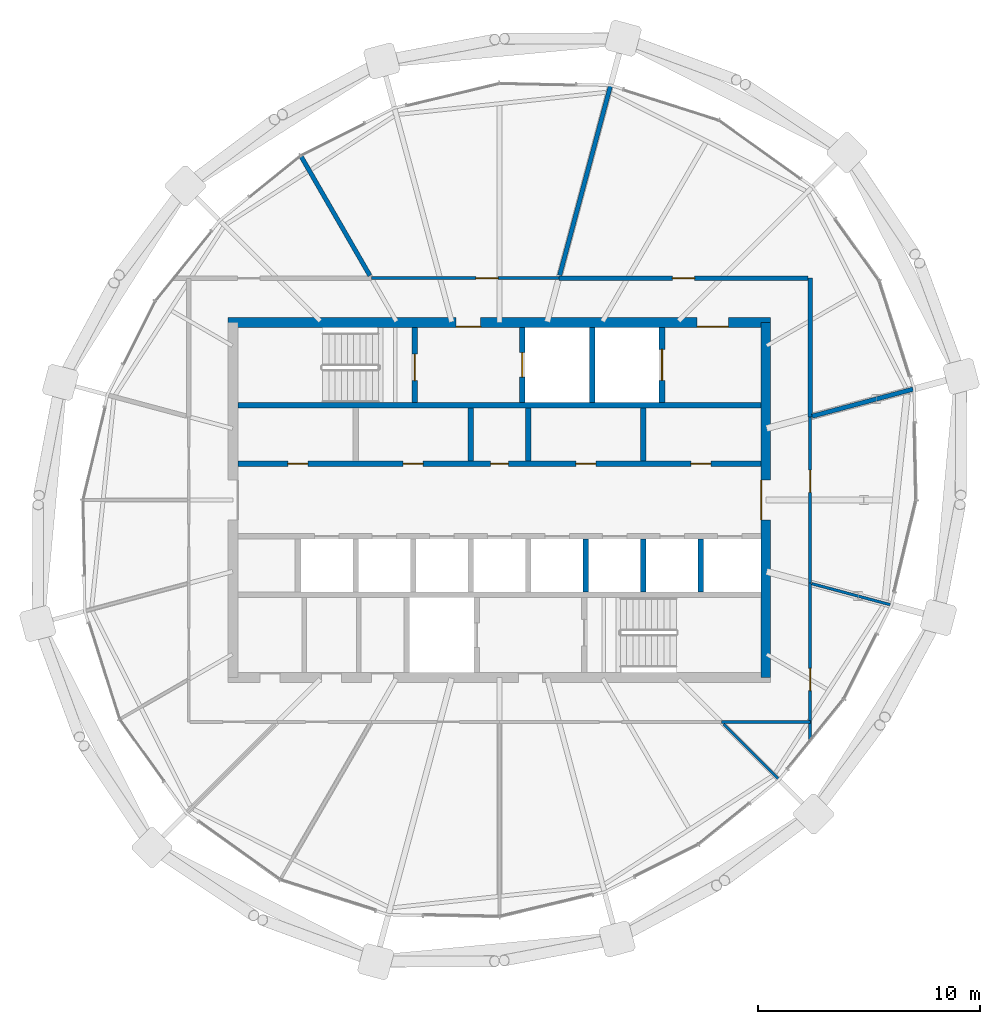
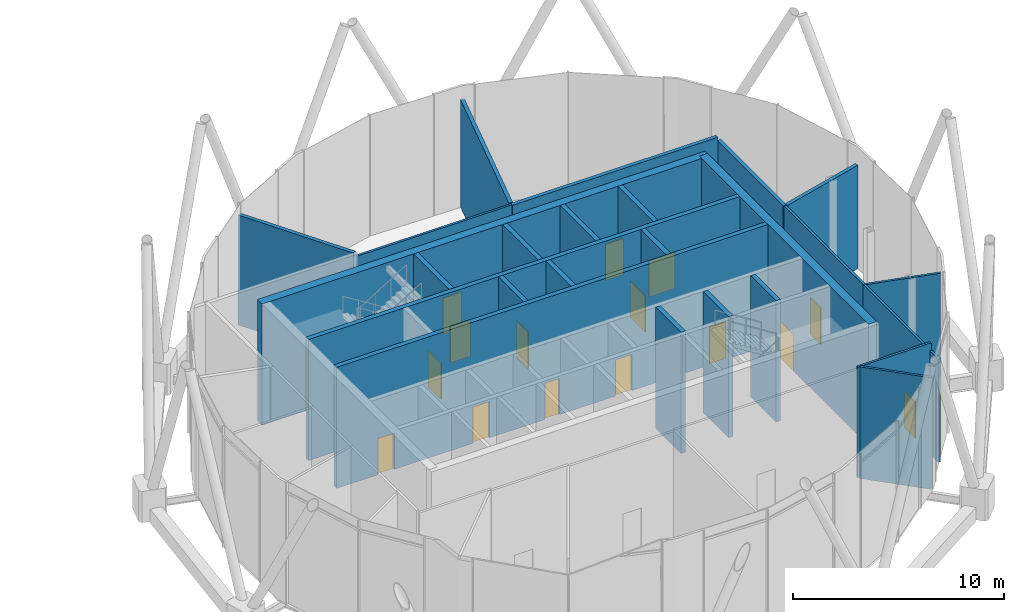
# One storey, part 22 of 28: 25 walls, 15 doors, 15 openings.
"""IFC4 building model written with IfcOpenShell, lengths in metres."""

from ifc_helpers import new_model, si_unit, direction, frame, frame_2d, origin, place, context, subcontext, project, spatial, rectangle, extrude, material, layer, layer_set, type_object, element, fill, save


model = new_model("IFC4")

# Units and contexts
model_context = context("Model", 3, precision=1e-05, world=origin(), true_north=direction((0.0, 1.0)))
body_context = subcontext(model_context, "Body", "Model", "MODEL_VIEW")
ifc_project = project(units=[si_unit("LENGTHUNIT", "METRE"), si_unit("AREAUNIT", "SQUARE_METRE"), si_unit("VOLUMEUNIT", "CUBIC_METRE"), si_unit("PLANEANGLEUNIT", "RADIAN"), si_unit("MASSUNIT", "GRAM", prefix="KILO")], contexts=[model_context])

# Site, building, storey
site_placement = place(None, origin())
site = spatial("IfcSite", under=ifc_project, at=site_placement, CompositionType="ELEMENT")
building_placement = place(site_placement, origin())
building = spatial("IfcBuilding", under=site, at=building_placement, Name="Rimbun Link Towers", CompositionType="ELEMENT")
storey_placement = place(building_placement, frame((0.0, 0.0, 256.10009765625)))
storey = spatial("IfcBuildingStorey", under=building, at=storey_placement, Name="L63", CompositionType="ELEMENT", Elevation=256.10009765625)

# Wall, openings, doors
ifc_material_1 = material(Name="Concrete C60/75", Category="concrete")
ifc_layer_1 = layer(ifc_material_1, 0.449951171875)
ifc_layer_set_1 = layer_set([ifc_layer_1], Name="Core shear wall 450")
wall_type_1 = type_object("IfcWallType", Name="Core shear wall 450", PredefinedType="SHEAR", material=ifc_layer_set_1)
wall_1_placement = place(storey_placement, frame((19.52490234375, 8.0, 0.0), z_axis=(0.0, 0.0, 1.0), x_axis=(1.0, 0.0, 0.0)))
wall_1 = element("IfcWall", 1, at=wall_1_placement, inside=storey, type_object=wall_type_1, Name="L63 T2 core wall N", PredefinedType="SHEAR", context=body_context, shape_type="SweptSolid", body=[
    extrude(rectangle(XDim=24.4501953125, YDim=0.449951171875, at=frame_2d((12.22509765625, 0.0))), origin(), (0.0, 0.0, 1.0), 7.0),
])
opening_1_placement = place(wall_1_placement, frame((10.27490234375, 0.0, 0.0)))
opening_1 = element("IfcOpeningElement", 2, at=opening_1_placement, cuts=wall_1, Name="Opening C2DCF01N", PredefinedType="OPENING", context=body_context, shape_type="SweptSolid", body=[
    extrude(rectangle(XDim=1.10009765625, YDim=2.10009765625, at=frame_2d((0.550048828125, 1.050048828125))), frame((0.0, 0.23486328125, 0.0), z_axis=(0.0, -1.0, 0.0), x_axis=(1.0, 0.0, 0.0)), (0.0, 0.0, 1.0), 0.469970703125),
])
opening_2_placement = place(wall_1_placement, frame((21.137451171875, 0.0, 0.0)))
opening_2 = element("IfcOpeningElement", 3, at=opening_2_placement, cuts=wall_1, Name="Opening C2DSL02N", PredefinedType="OPENING", context=body_context, shape_type="SweptSolid", body=[
    extrude(rectangle(XDim=1.39990234375, YDim=2.10009765625, at=frame_2d((0.699951171875, 1.050048828125))), frame((0.0, 0.23486328125, 0.0), z_axis=(0.0, -1.0, 0.0), x_axis=(1.0, 0.0, 0.0)), (0.0, 0.0, 1.0), 0.469970703125),
])
ifc_material_2 = material(Name="Steel fire door set", Category="steel")
door_type_1 = type_object("IfcDoorType", Name="Core fire door single", OperationType="SINGLE_SWING_LEFT", PredefinedType="DOOR", material=ifc_material_2)
door_1_placement = place(opening_1_placement, origin())
door_1 = element("IfcDoor", 4, at=door_1_placement, inside=storey, type_object=door_type_1, Name="L63 T2 firefighting lobby n door", OperationType="SINGLE_SWING_LEFT", OverallHeight=2.10009765625, OverallWidth=1.10009765625, PredefinedType="DOOR", context=body_context, shape_type="SweptSolid", body=[
    extrude(rectangle(XDim=1.10009765625, YDim=2.10009765625, at=frame_2d((0.550048828125, 1.050048828125))), frame((0.0, -0.1748046875, 0.0), z_axis=(0.0, -1.0, 0.0), x_axis=(1.0, 0.0, 0.0)), (0.0, 0.0, 1.0), 0.050048828125),
])
fill(opening_1, door_1)
ifc_material_3 = material(Name="Steel fire door set", Category="steel")
door_type_2 = type_object("IfcDoorType", Name="Service lobby door double", OperationType="DOUBLE_DOOR_SINGLE_SWING", PredefinedType="DOOR", material=ifc_material_3)
door_2_placement = place(opening_2_placement, origin())
door_2 = element("IfcDoor", 5, at=door_2_placement, inside=storey, type_object=door_type_2, Name="L63 T2 service lobby door", OperationType="DOUBLE_DOOR_SINGLE_SWING", OverallHeight=2.10009765625, OverallWidth=1.39990234375, PredefinedType="DOOR", context=body_context, shape_type="SweptSolid", body=[
    extrude(rectangle(XDim=1.39990234375, YDim=2.10009765625, at=frame_2d((0.699951171875, 1.050048828125))), frame((0.0, -0.1748046875, 0.0), z_axis=(0.0, -1.0, 0.0), x_axis=(1.0, 0.0, 0.0)), (0.0, 0.0, 1.0), 0.050048828125),
])
fill(opening_2, door_2)

# Wall, opening, door
wall_2_placement = place(storey_placement, frame((43.75, -8.0, 0.0), z_axis=(0.0, 0.0, 1.0), x_axis=(0.0, 1.0, 0.0)))
wall_2 = element("IfcWall", 6, at=wall_2_placement, inside=storey, type_object=wall_type_1, Name="L63 T2 core wall E", PredefinedType="SHEAR", context=body_context, shape_type="SweptSolid", body=[
    extrude(rectangle(XDim=16.0, YDim=0.449951171875, at=frame_2d((8.0, 0.0))), origin(), (0.0, 0.0, 1.0), 7.0),
])
opening_3_placement = place(wall_2_placement, frame((7.10009765625, 0.0, 0.0)))
opening_3 = element("IfcOpeningElement", 7, at=opening_3_placement, cuts=wall_2, Name="Opening C2DCL01E", PredefinedType="OPENING", context=body_context, shape_type="SweptSolid", body=[
    extrude(rectangle(XDim=1.800048828125, YDim=2.10009765625, at=frame_2d((0.89990234375, 1.050048828125))), frame((0.0, 0.23486328125, 0.0), z_axis=(0.0, -1.0, 0.0), x_axis=(1.0, 0.0, 0.0)), (0.0, 0.0, 1.0), 0.469970703125),
])
ifc_material_4 = material(Name="Steel fire door set", Category="steel")
door_type_3 = type_object("IfcDoorType", Name="Core lobby door double", OperationType="DOUBLE_DOOR_SINGLE_SWING", PredefinedType="DOOR", material=ifc_material_4)
door_3_placement = place(opening_3_placement, origin())
door_3 = element("IfcDoor", 8, at=door_3_placement, inside=storey, type_object=door_type_3, Name="L63 T2 lift lobby door", OperationType="DOUBLE_DOOR_SINGLE_SWING", OverallHeight=2.10009765625, OverallWidth=1.800048828125, PredefinedType="DOOR", context=body_context, shape_type="SweptSolid", body=[
    extrude(rectangle(XDim=1.800048828125, YDim=2.10009765625, at=frame_2d((0.89990234375, 1.050048828125))), frame((0.0, 0.22509765625, 0.0), z_axis=(0.0, -1.0, 0.0), x_axis=(1.0, 0.0, 0.0)), (0.0, 0.0, 1.0), 0.050048828125),
])
fill(opening_3, door_3)

# Wall
ifc_material_5 = material(Name="Concrete blockwork", Category="masonry")
ifc_layer_2 = layer(ifc_material_5, 0.199951171875)
ifc_layer_set_2 = layer_set([ifc_layer_2], Name="Fire partition 200 blockwork")
wall_type_2 = type_object("IfcWallType", Name="Fire partition 200 blockwork", PredefinedType="PARTITIONING", material=ifc_layer_set_2)
wall_3_placement = place(storey_placement, frame((45.75, 3.751220703125, 0.0), z_axis=(0.0, 0.0, 1.0), x_axis=(0.0, 1.0, 0.0)))
element("IfcWall", 9, at=wall_3_placement, inside=storey, type_object=wall_type_2, Name="TW/PW/L63/036", PredefinedType="PARTITIONING", context=body_context, shape_type="SweptSolid", body=[
    extrude(rectangle(XDim=6.248779296875, YDim=0.199951171875, at=frame_2d((3.12451171875, 0.0))), origin(), (0.0, 0.0, 1.0), 5.958984375),
])

# Wall, opening, door
wall_4_placement = place(storey_placement, frame((45.64990234375, 10.0, 0.0), z_axis=(0.0, 0.0, 1.0), x_axis=(-1.0, 0.0, 0.0)))
wall_4 = element("IfcWall", 10, at=wall_4_placement, inside=storey, type_object=wall_type_2, Name="TW/PW/L63/037", PredefinedType="PARTITIONING", context=body_context, shape_type="SweptSolid", body=[
    extrude(rectangle(XDim=11.220458984375, YDim=0.199951171875, at=frame_2d((5.6103515625, 0.0))), origin(), (0.0, 0.0, 1.0), 6.197021484375),
])
opening_4_placement = place(wall_4_placement, frame((5.110107421875, 0.0, 0.0)))
opening_4 = element("IfcOpeningElement", 11, at=opening_4_placement, cuts=wall_4, Name="Opening TW D63.19", PredefinedType="OPENING", context=body_context, shape_type="SweptSolid", body=[
    extrude(rectangle(XDim=1.0, YDim=2.10009765625, at=frame_2d((0.5, 1.050048828125))), frame((0.0, 0.10986328125, 0.0), z_axis=(0.0, -1.0, 0.0), x_axis=(1.0, 0.0, 0.0)), (0.0, 0.0, 1.0), 0.219970703125),
])
ifc_material_6 = material(Name="Steel fire door set", Category="steel")
door_type_4 = type_object("IfcDoorType", Name="Fire door single leaf 1000 x 2100", OperationType="NOTDEFINED", PredefinedType="DOOR", material=ifc_material_6)
door_4_placement = place(opening_4_placement, origin())
door_4 = element("IfcDoor", 12, at=door_4_placement, inside=storey, type_object=door_type_4, Name="TW/DR/L63/019", OperationType="SINGLE_SWING_RIGHT", OverallHeight=2.10009765625, OverallWidth=1.0, PredefinedType="DOOR", context=body_context, shape_type="SweptSolid", body=[
    extrude(rectangle(XDim=1.0, YDim=2.10009765625, at=frame_2d((0.5, 1.050048828125))), frame((0.0, 0.02490234375, 0.0), z_axis=(0.0, -1.0, 0.0), x_axis=(1.0, 0.0, 0.0)), (0.0, 0.0, 1.0), 0.050048828125),
])
fill(opening_4, door_4)

# Walls
wall_5_placement = place(storey_placement, frame((50.384765625, 4.9931640625, 0.0), z_axis=(0.0, 0.0, 1.0), x_axis=(-0.965922582543, -0.258831150622, 0.0)))
element("IfcWall", 13, at=wall_5_placement, inside=storey, type_object=wall_type_2, Name="TW/PW/L63/050", PredefinedType="PARTITIONING", context=body_context, shape_type="SweptSolid", body=[
    extrude(rectangle(XDim=4.706787109375, YDim=0.199951171875, at=frame_2d((2.353515625, 0.0))), origin(), (0.0, 0.0, 1.0), 5.958984375),
])
wall_6_placement = place(storey_placement, frame((36.763916015625, 18.7119140625, 0.0), z_axis=(0.0, 0.0, 1.0), x_axis=(-0.258838592599, -0.965920588341, 0.0)))
element("IfcWall", 14, at=wall_6_placement, inside=storey, type_object=wall_type_2, Name="TW/PW/L63/051", PredefinedType="PARTITIONING", context=body_context, shape_type="SweptSolid", body=[
    extrude(rectangle(XDim=8.888916015625, YDim=0.199951171875, at=frame_2d((4.4443359375, 0.0))), origin(), (0.0, 0.0, 1.0), 6.197021484375),
])
wall_7_placement = place(storey_placement, frame((22.766845703125, 15.55908203125, 0.0), z_axis=(0.0, 0.0, 1.0), x_axis=(0.500025994197, -0.866010395508, 0.0)))
element("IfcWall", 15, at=wall_7_placement, inside=storey, type_object=wall_type_2, Name="TW/PW/L63/052", PredefinedType="PARTITIONING", context=body_context, shape_type="SweptSolid", body=[
    extrude(rectangle(XDim=6.289306640625, YDim=0.199951171875, at=frame_2d((3.14453125, 0.0))), origin(), (0.0, 0.0, 1.0), 6.346923828125),
])
ifc_material_7 = material(Name="Gypsum board on steel studs", Category="steel")
ifc_layer_3 = layer(ifc_material_7, 0.125)
ifc_layer_set_3 = layer_set([ifc_layer_3], Name="Partition 125 board on studs")
wall_type_3 = type_object("IfcWallType", Name="Partition 125 board on studs", PredefinedType="PARTITIONING", material=ifc_layer_set_3)
wall_8_placement = place(storey_placement, frame((41.75, -10.0, 0.0), z_axis=(0.0, 0.0, 1.0), x_axis=(1.0, 0.0, 0.0)))
element("IfcWall", 16, at=wall_8_placement, inside=storey, type_object=wall_type_3, Name="TW/PW/L63/033", PredefinedType="PARTITIONING", context=body_context, shape_type="SweptSolid", body=[
    extrude(rectangle(XDim=4.014404296875, YDim=0.125, at=frame_2d((2.00732421875, 0.0))), origin(), (0.0, 0.0, 1.0), 6.393798828125),
])

# Wall, opening, door
wall_9_placement = place(storey_placement, frame((45.75, -10.86376953125, 0.0), z_axis=(0.0, 0.0, 1.0), x_axis=(0.0, 1.0, 0.0)))
wall_9 = element("IfcWall", 17, at=wall_9_placement, inside=storey, type_object=wall_type_3, Name="TW/PW/L63/034", PredefinedType="PARTITIONING", context=body_context, shape_type="SweptSolid", body=[
    extrude(rectangle(XDim=7.112548828125, YDim=0.125, at=frame_2d((3.55615234375, 0.0))), origin(), (0.0, 0.0, 1.0), 5.958984375),
])
opening_5_placement = place(wall_9_placement, frame((2.27392578125, 0.0, 0.0)))
opening_5 = element("IfcOpeningElement", 18, at=opening_5_placement, cuts=wall_9, Name="Opening TW D63.17", PredefinedType="OPENING", context=body_context, shape_type="SweptSolid", body=[
    extrude(rectangle(XDim=1.0, YDim=2.10009765625, at=frame_2d((0.5, 1.050048828125))), frame((0.0, 0.072509765625, 0.0), z_axis=(0.0, -1.0, 0.0), x_axis=(1.0, 0.0, 0.0)), (0.0, 0.0, 1.0), 0.14501953125),
])
ifc_material_8 = material(Name="Timber door set", Category="wood")
door_type_5 = type_object("IfcDoorType", Name="Door single leaf 1000 x 2100", OperationType="NOTDEFINED", PredefinedType="DOOR", material=ifc_material_8)
door_5_placement = place(opening_5_placement, origin())
door_5 = element("IfcDoor", 19, at=door_5_placement, inside=storey, type_object=door_type_5, Name="TW/DR/L63/017", OperationType="SINGLE_SWING_RIGHT", OverallHeight=2.10009765625, OverallWidth=1.0, PredefinedType="DOOR", context=body_context, shape_type="SweptSolid", body=[
    extrude(rectangle(XDim=1.0, YDim=2.10009765625, at=frame_2d((0.5, 1.050048828125))), frame((0.0, 0.02490234375, 0.0), z_axis=(0.0, -1.0, 0.0), x_axis=(1.0, 0.0, 0.0)), (0.0, 0.0, 1.0), 0.050048828125),
])
fill(opening_5, door_5)

wall_10_placement = place(storey_placement, frame((45.75, -3.751220703125, 0.0), z_axis=(0.0, 0.0, 1.0), x_axis=(0.0, 1.0, 0.0)))
wall_10 = element("IfcWall", 20, at=wall_10_placement, inside=storey, type_object=wall_type_3, Name="TW/PW/L63/035", PredefinedType="PARTITIONING", context=body_context, shape_type="SweptSolid", body=[
    extrude(rectangle(XDim=7.50244140625, YDim=0.125, at=frame_2d((3.751220703125, 0.0))), origin(), (0.0, 0.0, 1.0), 5.958984375),
])
opening_6_placement = place(wall_10_placement, frame((4.092041015625, 0.0, 0.0)))
opening_6 = element("IfcOpeningElement", 21, at=opening_6_placement, cuts=wall_10, Name="Opening TW D63.18", PredefinedType="OPENING", context=body_context, shape_type="SweptSolid", body=[
    extrude(rectangle(XDim=1.0, YDim=2.10009765625, at=frame_2d((0.5, 1.050048828125))), frame((0.0, 0.072509765625, 0.0), z_axis=(0.0, -1.0, 0.0), x_axis=(1.0, 0.0, 0.0)), (0.0, 0.0, 1.0), 0.14501953125),
])
door_6_placement = place(opening_6_placement, origin())
door_6 = element("IfcDoor", 22, at=door_6_placement, inside=storey, type_object=door_type_5, Name="TW/DR/L63/018", OperationType="SINGLE_SWING_LEFT", OverallHeight=2.10009765625, OverallWidth=1.0, PredefinedType="DOOR", context=body_context, shape_type="SweptSolid", body=[
    extrude(rectangle(XDim=1.0, YDim=2.10009765625, at=frame_2d((0.5, 1.050048828125))), frame((0.0, 0.02490234375, 0.0), z_axis=(0.0, -1.0, 0.0), x_axis=(1.0, 0.0, 0.0)), (0.0, 0.0, 1.0), 0.050048828125),
])
fill(opening_6, door_6)

wall_11_placement = place(storey_placement, frame((34.429443359375, 10.0, 0.0), z_axis=(0.0, 0.0, 1.0), x_axis=(-1.0, 0.0, 0.0)))
wall_11 = element("IfcWall", 23, at=wall_11_placement, inside=storey, type_object=wall_type_3, Name="TW/PW/L63/038", PredefinedType="PARTITIONING", context=body_context, shape_type="SweptSolid", body=[
    extrude(rectangle(XDim=8.452880859375, YDim=0.125, at=frame_2d((4.2265625, 0.0))), origin(), (0.0, 0.0, 1.0), 6.197021484375),
])
opening_7_placement = place(wall_11_placement, frame((2.743896484375, 0.0, 0.0)))
opening_7 = element("IfcOpeningElement", 24, at=opening_7_placement, cuts=wall_11, Name="Opening TW D63.20", PredefinedType="OPENING", context=body_context, shape_type="SweptSolid", body=[
    extrude(rectangle(XDim=1.0, YDim=2.10009765625, at=frame_2d((0.5, 1.050048828125))), frame((0.0, 0.072509765625, 0.0), z_axis=(0.0, -1.0, 0.0), x_axis=(1.0, 0.0, 0.0)), (0.0, 0.0, 1.0), 0.14501953125),
])
door_7_placement = place(opening_7_placement, origin())
door_7 = element("IfcDoor", 25, at=door_7_placement, inside=storey, type_object=door_type_5, Name="TW/DR/L63/020", OperationType="SINGLE_SWING_LEFT", OverallHeight=2.10009765625, OverallWidth=1.0, PredefinedType="DOOR", context=body_context, shape_type="SweptSolid", body=[
    extrude(rectangle(XDim=1.0, YDim=2.10009765625, at=frame_2d((0.5, 1.050048828125))), frame((0.0, 0.02490234375, 0.0), z_axis=(0.0, -1.0, 0.0), x_axis=(1.0, 0.0, 0.0)), (0.0, 0.0, 1.0), 0.050048828125),
])
fill(opening_7, door_7)

# Walls
wall_12_placement = place(storey_placement, frame((44.367919921875, -12.617919921875, 0.0), z_axis=(0.0, 0.0, 1.0), x_axis=(-0.707106781187, 0.707106781187, 0.0)))
element("IfcWall", 26, at=wall_12_placement, inside=storey, type_object=wall_type_3, Name="TW/PW/L63/048", PredefinedType="PARTITIONING", context=body_context, shape_type="SweptSolid", body=[
    extrude(rectangle(XDim=3.551513671875, YDim=0.125, at=frame_2d((1.77587890625, 0.0))), origin(), (0.0, 0.0, 1.0), 6.44482421875),
])
wall_13_placement = place(storey_placement, frame((49.361328125, -4.718994140625, 0.0), z_axis=(0.0, 0.0, 1.0), x_axis=(-0.965929578001, 0.258805043117, 0.0)))
element("IfcWall", 27, at=wall_13_placement, inside=storey, type_object=wall_type_3, Name="TW/PW/L63/049", PredefinedType="PARTITIONING", context=body_context, shape_type="SweptSolid", body=[
    extrude(rectangle(XDim=3.6572265625, YDim=0.125, at=frame_2d((1.82861328125, 0.0))), origin(), (0.0, 0.0, 1.0), 5.958984375),
])
ifc_material_9 = material(Name="Concrete C60/75", Category="concrete")
ifc_layer_4 = layer(ifc_material_9, 0.25)
ifc_layer_set_4 = layer_set([ifc_layer_4], Name="Shaft wall 250")
wall_type_4 = type_object("IfcWallType", Name="Shaft wall 250", PredefinedType="SHEAR", material=ifc_layer_set_4)
wall_14_placement = place(storey_placement, frame((19.97509765625, 4.27490234375, 0.0), z_axis=(0.0, 0.0, 1.0), x_axis=(1.0, 0.0, 0.0)))
element("IfcWall", 28, at=wall_14_placement, inside=storey, type_object=wall_type_4, Name="L63 T2 core wall BN", PredefinedType="SHEAR", context=body_context, shape_type="SweptSolid", body=[
    extrude(rectangle(XDim=23.5498046875, YDim=0.25, at=frame_2d((11.77490234375, 0.0))), origin(), (0.0, 0.0, 1.0), 7.0),
])

# Wall, openings, doors
wall_15_placement = place(storey_placement, frame((19.97509765625, 1.625, 0.0), z_axis=(0.0, 0.0, 1.0), x_axis=(1.0, 0.0, 0.0)))
wall_15 = element("IfcWall", 29, at=wall_15_placement, inside=storey, type_object=wall_type_4, Name="L63 T2 core wall FN", PredefinedType="SHEAR", context=body_context, shape_type="SweptSolid", body=[
    extrude(rectangle(XDim=23.5498046875, YDim=0.25, at=frame_2d((11.77490234375, 0.0))), origin(), (0.0, 0.0, 1.0), 7.0),
])
opening_8_placement = place(wall_15_placement, frame((2.244384765625, 0.0, 0.0)))
opening_8 = element("IfcOpeningElement", 30, at=opening_8_placement, cuts=wall_15, Name="Opening C2DRS01FN", PredefinedType="OPENING", context=body_context, shape_type="SweptSolid", body=[
    extrude(rectangle(XDim=0.89990234375, YDim=2.10009765625, at=frame_2d((0.449951171875, 1.050048828125))), frame((0.0, 0.135009765625, 0.0), z_axis=(0.0, -1.0, 0.0), x_axis=(1.0, 0.0, 0.0)), (0.0, 0.0, 1.0), 0.27001953125),
])
opening_9_placement = place(wall_15_placement, frame((7.433349609375, 0.0, 0.0)))
opening_9 = element("IfcOpeningElement", 31, at=opening_9_placement, cuts=wall_15, Name="Opening C2DRS02FN", PredefinedType="OPENING", context=body_context, shape_type="SweptSolid", body=[
    extrude(rectangle(XDim=0.89990234375, YDim=2.10009765625, at=frame_2d((0.449951171875, 1.050048828125))), frame((0.0, 0.135009765625, 0.0), z_axis=(0.0, -1.0, 0.0), x_axis=(1.0, 0.0, 0.0)), (0.0, 0.0, 1.0), 0.27001953125),
])
opening_10_placement = place(wall_15_placement, frame((11.375, 0.0, 0.0)))
opening_10 = element("IfcOpeningElement", 32, at=opening_10_placement, cuts=wall_15, Name="Opening C2DRA03FN", PredefinedType="OPENING", context=body_context, shape_type="SweptSolid", body=[
    extrude(rectangle(XDim=0.800048828125, YDim=2.10009765625, at=frame_2d((0.39990234375, 1.050048828125))), frame((0.0, 0.135009765625, 0.0), z_axis=(0.0, -1.0, 0.0), x_axis=(1.0, 0.0, 0.0)), (0.0, 0.0, 1.0), 0.27001953125),
])
opening_11_placement = place(wall_15_placement, frame((15.216796875, 0.0, 0.0)))
opening_11 = element("IfcOpeningElement", 33, at=opening_11_placement, cuts=wall_15, Name="Opening C2DRS04FN", PredefinedType="OPENING", context=body_context, shape_type="SweptSolid", body=[
    extrude(rectangle(XDim=0.89990234375, YDim=2.10009765625, at=frame_2d((0.449951171875, 1.050048828125))), frame((0.0, 0.135009765625, 0.0), z_axis=(0.0, -1.0, 0.0), x_axis=(1.0, 0.0, 0.0)), (0.0, 0.0, 1.0), 0.27001953125),
])
opening_12_placement = place(wall_15_placement, frame((20.405517578125, 0.0, 0.0)))
opening_12 = element("IfcOpeningElement", 34, at=opening_12_placement, cuts=wall_15, Name="Opening C2DRS05FN", PredefinedType="OPENING", context=body_context, shape_type="SweptSolid", body=[
    extrude(rectangle(XDim=0.89990234375, YDim=2.10009765625, at=frame_2d((0.449951171875, 1.050048828125))), frame((0.0, 0.135009765625, 0.0), z_axis=(0.0, -1.0, 0.0), x_axis=(1.0, 0.0, 0.0)), (0.0, 0.0, 1.0), 0.27001953125),
])
ifc_material_10 = material(Name="Steel fire door set", Category="steel")
door_type_6 = type_object("IfcDoorType", Name="Core riser door", OperationType="SINGLE_SWING_LEFT", PredefinedType="DOOR", material=ifc_material_10)
door_8_placement = place(opening_8_placement, origin())
door_8 = element("IfcDoor", 35, at=door_8_placement, inside=storey, type_object=door_type_6, Name="L63 T2 staff lounge door", OperationType="SINGLE_SWING_LEFT", OverallHeight=2.10009765625, OverallWidth=0.89990234375, PredefinedType="DOOR", context=body_context, shape_type="SweptSolid", body=[
    extrude(rectangle(XDim=0.89990234375, YDim=2.10009765625, at=frame_2d((0.449951171875, 1.050048828125))), frame((0.0, 0.02490234375, 0.0), z_axis=(0.0, -1.0, 0.0), x_axis=(1.0, 0.0, 0.0)), (0.0, 0.0, 1.0), 0.050048828125),
])
fill(opening_8, door_8)
door_9_placement = place(opening_9_placement, origin())
door_9 = element("IfcDoor", 36, at=door_9_placement, inside=storey, type_object=door_type_6, Name="L63 T2 phone room door", OperationType="SINGLE_SWING_LEFT", OverallHeight=2.10009765625, OverallWidth=0.89990234375, PredefinedType="DOOR", context=body_context, shape_type="SweptSolid", body=[
    extrude(rectangle(XDim=0.89990234375, YDim=2.10009765625, at=frame_2d((0.449951171875, 1.050048828125))), frame((0.0, 0.02490234375, 0.0), z_axis=(0.0, -1.0, 0.0), x_axis=(1.0, 0.0, 0.0)), (0.0, 0.0, 1.0), 0.050048828125),
])
fill(opening_9, door_9)
door_10_placement = place(opening_11_placement, origin())
door_10 = element("IfcDoor", 37, at=door_10_placement, inside=storey, type_object=door_type_6, Name="L63 T2 print room door", OperationType="SINGLE_SWING_RIGHT", OverallHeight=2.10009765625, OverallWidth=0.89990234375, PredefinedType="DOOR", context=body_context, shape_type="SweptSolid", body=[
    extrude(rectangle(XDim=0.89990234375, YDim=2.10009765625, at=frame_2d((0.449951171875, 1.050048828125))), frame((0.0, 0.02490234375, 0.0), z_axis=(0.0, -1.0, 0.0), x_axis=(1.0, 0.0, 0.0)), (0.0, 0.0, 1.0), 0.050048828125),
])
fill(opening_11, door_10)
door_11_placement = place(opening_12_placement, origin())
door_11 = element("IfcDoor", 38, at=door_11_placement, inside=storey, type_object=door_type_6, Name="L63 T2 staff lounge door", OperationType="SINGLE_SWING_LEFT", OverallHeight=2.10009765625, OverallWidth=0.89990234375, PredefinedType="DOOR", context=body_context, shape_type="SweptSolid", body=[
    extrude(rectangle(XDim=0.89990234375, YDim=2.10009765625, at=frame_2d((0.449951171875, 1.050048828125))), frame((0.0, 0.02490234375, 0.0), z_axis=(0.0, -1.0, 0.0), x_axis=(1.0, 0.0, 0.0)), (0.0, 0.0, 1.0), 0.050048828125),
])
fill(opening_12, door_11)
ifc_material_11 = material(Name="Steel fire door set", Category="steel")
door_type_7 = type_object("IfcDoorType", Name="Riser access door 800 x 2100", OperationType="SINGLE_SWING_LEFT", PredefinedType="DOOR", material=ifc_material_11)
door_12_placement = place(opening_10_placement, origin())
door_12 = element("IfcDoor", 39, at=door_12_placement, inside=storey, type_object=door_type_7, Name="L63 T2 communications room door", OperationType="SINGLE_SWING_LEFT", OverallHeight=2.10009765625, OverallWidth=0.800048828125, PredefinedType="DOOR", context=body_context, shape_type="SweptSolid", body=[
    extrude(rectangle(XDim=0.800048828125, YDim=2.10009765625, at=frame_2d((0.39990234375, 1.050048828125))), frame((0.0, 0.02490234375, 0.0), z_axis=(0.0, -1.0, 0.0), x_axis=(1.0, 0.0, 0.0)), (0.0, 0.0, 1.0), 0.050048828125),
])
fill(opening_10, door_12)

# Walls
for number, where, z_axis, x_axis, name in (
    (40, (30.452880859375, 1.75, 0.0), (0.0, 0.0, 1.0), (0.0, 1.0, 0.0), "L63 T2 core wall DN3"),
    (41, (33.047119140625, 1.75, 0.0), (0.0, 0.0, 1.0), (0.0, 1.0, 0.0), "L63 T2 core wall DN4"),
    (42, (38.236083984375, 1.75, 0.0), (0.0, 0.0, 1.0), (0.0, 1.0, 0.0), "L63 T2 core wall DN6"),
    (43, (35.6416015625, -4.14990234375, 0.0), (0.0, 0.0, 1.0), (0.0, 1.0, 0.0), "L63 T2 core wall DS5"),
    (44, (38.236083984375, -4.14990234375, 0.0), (0.0, 0.0, 1.0), (0.0, 1.0, 0.0), "L63 T2 core wall DS6"),
    (45, (40.83056640625, -4.14990234375, 0.0), (0.0, 0.0, 1.0), (0.0, 1.0, 0.0), "L63 T2 core wall DS7"),
):
    element("IfcWall", number, at=place(storey_placement, frame(where, z_axis=z_axis, x_axis=x_axis)), inside=storey, type_object=wall_type_4, Name=name, PredefinedType="SHEAR", context=body_context, shape_type="SweptSolid", body=[
        extrude(rectangle(XDim=2.39990234375, YDim=0.25, at=frame_2d((1.199951171875, 0.0))), origin(), (0.0, 0.0, 1.0), 7.0),
    ])

# Wall, opening, door
wall_16_placement = place(storey_placement, frame((27.925048828125, 4.39990234375, 0.0), z_axis=(0.0, 0.0, 1.0), x_axis=(0.0, 1.0, 0.0)))
wall_16 = element("IfcWall", 46, at=wall_16_placement, inside=storey, type_object=wall_type_4, Name="L63 T2 core wall A1", PredefinedType="SHEAR", context=body_context, shape_type="SweptSolid", body=[
    extrude(rectangle(XDim=3.375, YDim=0.25, at=frame_2d((1.6875, 0.0))), origin(), (0.0, 0.0, 1.0), 7.0),
])
opening_13_placement = place(wall_16_placement, frame((0.97509765625, 0.0, 0.0)))
opening_13 = element("IfcOpeningElement", 47, at=opening_13_placement, cuts=wall_16, Name="Opening C2DST01A1", PredefinedType="OPENING", context=body_context, shape_type="SweptSolid", body=[
    extrude(rectangle(XDim=1.199951171875, YDim=2.10009765625, at=frame_2d((0.60009765625, 1.050048828125))), frame((0.0, 0.135009765625, 0.0), z_axis=(0.0, -1.0, 0.0), x_axis=(1.0, 0.0, 0.0)), (0.0, 0.0, 1.0), 0.27001953125),
])
ifc_material_12 = material(Name="Steel fire door set", Category="steel")
door_type_8 = type_object("IfcDoorType", Name="Stair door", OperationType="SINGLE_SWING_LEFT", PredefinedType="DOOR", material=ifc_material_12)
door_13_placement = place(opening_13_placement, origin())
door_13 = element("IfcDoor", 48, at=door_13_placement, inside=storey, type_object=door_type_8, Name="L63 T2 stair a door", OperationType="SINGLE_SWING_LEFT", OverallHeight=2.10009765625, OverallWidth=1.199951171875, PredefinedType="DOOR", context=body_context, shape_type="SweptSolid", body=[
    extrude(rectangle(XDim=1.199951171875, YDim=2.10009765625, at=frame_2d((0.60009765625, 1.050048828125))), frame((0.0, 0.02490234375, 0.0), z_axis=(0.0, -1.0, 0.0), x_axis=(1.0, 0.0, 0.0)), (0.0, 0.0, 1.0), 0.050048828125),
])
fill(opening_13, door_13)

wall_17_placement = place(storey_placement, frame((32.77490234375, 4.39990234375, 0.0), z_axis=(0.0, 0.0, 1.0), x_axis=(0.0, 1.0, 0.0)))
wall_17 = element("IfcWall", 49, at=wall_17_placement, inside=storey, type_object=wall_type_4, Name="L63 T2 core wall A2", PredefinedType="SHEAR", context=body_context, shape_type="SweptSolid", body=[
    extrude(rectangle(XDim=3.375, YDim=0.25, at=frame_2d((1.6875, 0.0))), origin(), (0.0, 0.0, 1.0), 7.0),
])
opening_14_placement = place(wall_17_placement, frame((1.137451171875, 0.0, 0.0)))
opening_14 = element("IfcOpeningElement", 50, at=opening_14_placement, cuts=wall_17, Name="Opening LD-T2-FF1", PredefinedType="OPENING", context=body_context, shape_type="SweptSolid", body=[
    extrude(rectangle(XDim=1.10009765625, YDim=2.10009765625, at=frame_2d((0.550048828125, 1.050048828125))), frame((0.0, 0.135009765625, 0.0), z_axis=(0.0, -1.0, 0.0), x_axis=(1.0, 0.0, 0.0)), (0.0, 0.0, 1.0), 0.27001953125),
])
ifc_material_13 = material(Name="Stainless steel grade 316", Category="steel")
door_type_9 = type_object("IfcDoorType", Name="Lift landing door", OperationType="DOUBLE_DOOR_SLIDING", PredefinedType="DOOR", material=ifc_material_13)
door_14_placement = place(opening_14_placement, origin())
door_14 = element("IfcDoor", 51, at=door_14_placement, inside=storey, type_object=door_type_9, Name="L63 T2 lift FF1 landing door", OperationType="DOUBLE_DOOR_SLIDING", OverallHeight=2.10009765625, OverallWidth=1.10009765625, PredefinedType="DOOR", context=body_context, shape_type="SweptSolid", body=[
    extrude(rectangle(XDim=1.10009765625, YDim=2.10009765625, at=frame_2d((0.550048828125, 1.050048828125))), frame((0.0, 0.02490234375, 0.0), z_axis=(0.0, -1.0, 0.0), x_axis=(1.0, 0.0, 0.0)), (0.0, 0.0, 1.0), 0.050048828125),
])
fill(opening_14, door_14)

# Wall
wall_18_placement = place(storey_placement, frame((35.925048828125, 4.39990234375, 0.0), z_axis=(0.0, 0.0, 1.0), x_axis=(0.0, 1.0, 0.0)))
element("IfcWall", 52, at=wall_18_placement, inside=storey, type_object=wall_type_4, Name="L63 T2 core wall A3", PredefinedType="SHEAR", context=body_context, shape_type="SweptSolid", body=[
    extrude(rectangle(XDim=3.375, YDim=0.25, at=frame_2d((1.6875, 0.0))), origin(), (0.0, 0.0, 1.0), 7.0),
])

# Wall, opening, door
wall_19_placement = place(storey_placement, frame((39.074951171875, 4.39990234375, 0.0), z_axis=(0.0, 0.0, 1.0), x_axis=(0.0, 1.0, 0.0)))
wall_19 = element("IfcWall", 53, at=wall_19_placement, inside=storey, type_object=wall_type_4, Name="L63 T2 core wall A4", PredefinedType="SHEAR", context=body_context, shape_type="SweptSolid", body=[
    extrude(rectangle(XDim=3.375, YDim=0.25, at=frame_2d((1.6875, 0.0))), origin(), (0.0, 0.0, 1.0), 7.0),
])
opening_15_placement = place(wall_19_placement, frame((0.987548828125, 0.0, 0.0)))
opening_15 = element("IfcOpeningElement", 54, at=opening_15_placement, cuts=wall_19, Name="Opening LD-T2-GL1", PredefinedType="OPENING", context=body_context, shape_type="SweptSolid", body=[
    extrude(rectangle(XDim=1.39990234375, YDim=2.10009765625, at=frame_2d((0.699951171875, 1.050048828125))), frame((0.0, 0.135009765625, 0.0), z_axis=(0.0, -1.0, 0.0), x_axis=(1.0, 0.0, 0.0)), (0.0, 0.0, 1.0), 0.27001953125),
])
ifc_material_14 = material(Name="Stainless steel grade 316", Category="steel")
door_type_10 = type_object("IfcDoorType", Name="Goods lift landing door", OperationType="DOUBLE_DOOR_SLIDING", PredefinedType="DOOR", material=ifc_material_14)
door_15_placement = place(opening_15_placement, origin())
door_15 = element("IfcDoor", 55, at=door_15_placement, inside=storey, type_object=door_type_10, Name="L63 T2 lift GL1 landing door", OperationType="DOUBLE_DOOR_SLIDING", OverallHeight=2.10009765625, OverallWidth=1.39990234375, PredefinedType="DOOR", context=body_context, shape_type="SweptSolid", body=[
    extrude(rectangle(XDim=1.39990234375, YDim=2.10009765625, at=frame_2d((0.699951171875, 1.050048828125))), frame((0.0, 0.02490234375, 0.0), z_axis=(0.0, -1.0, 0.0), x_axis=(1.0, 0.0, 0.0)), (0.0, 0.0, 1.0), 0.050048828125),
])
fill(opening_15, door_15)

save(model, "model.ifc")
